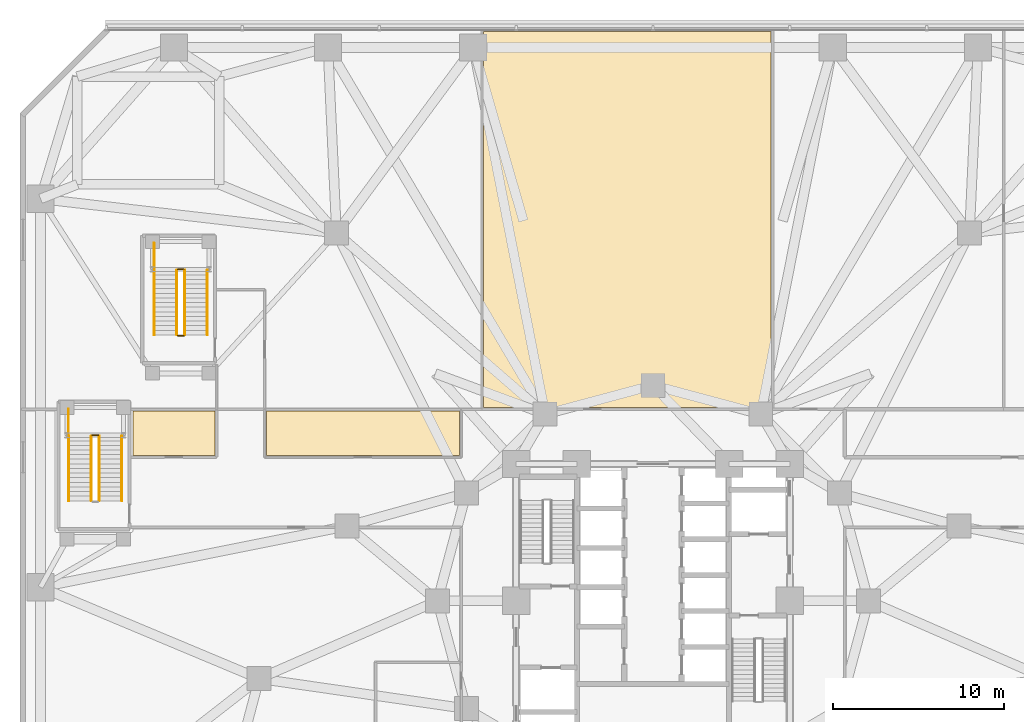
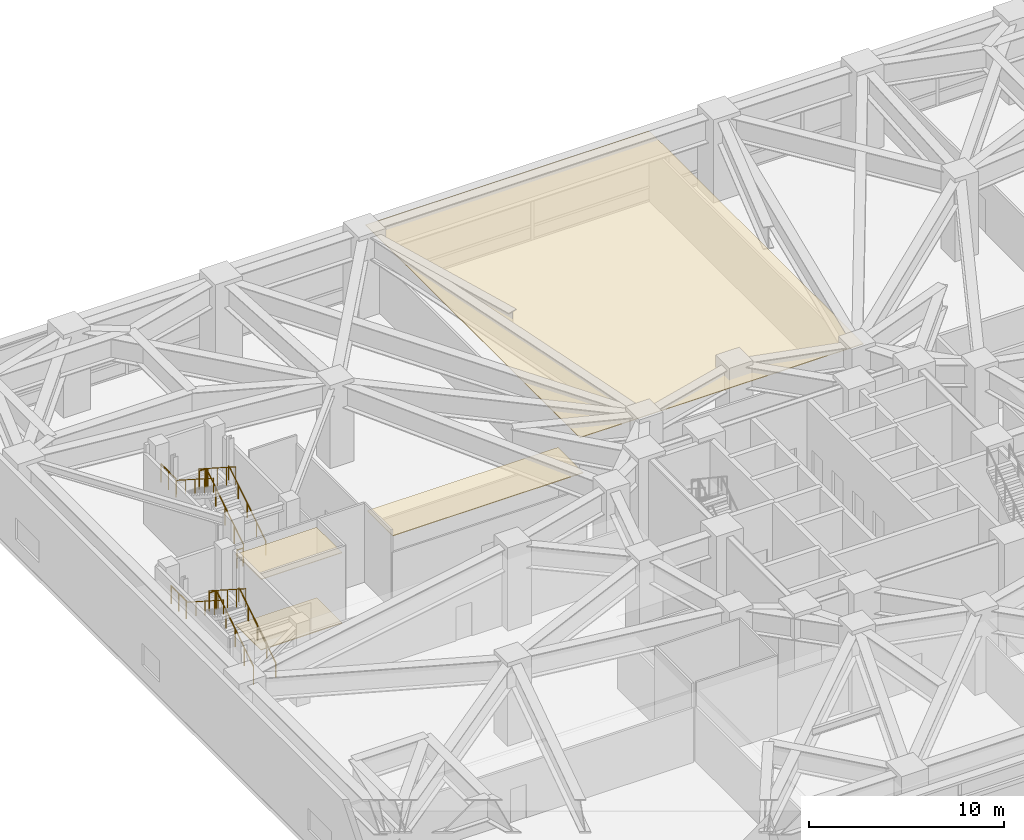
# One storey, part 25 of 27: 13 railings, 4 coverings.
"""IFC4 building model written with IfcOpenShell, lengths in metres."""

from ifc_helpers import new_model, si_unit, direction, frame, origin, origin_2d, place, context, subcontext, project, spatial, polyline, circle, outline, extrude, material, layer, layer_set, type_object, element, save


model = new_model("IFC4")

# Units and contexts
model_context = context("Model", 3, precision=1e-05, world=origin(), true_north=direction((0.0, 1.0)))
body_context = subcontext(model_context, "Body", "Model", "MODEL_VIEW")
ifc_project = project(units=[si_unit("LENGTHUNIT", "METRE"), si_unit("AREAUNIT", "SQUARE_METRE"), si_unit("VOLUMEUNIT", "CUBIC_METRE"), si_unit("PLANEANGLEUNIT", "RADIAN"), si_unit("MASSUNIT", "GRAM", prefix="KILO")], contexts=[model_context])

# Site, building, storey
site_placement = place(None, origin())
site = spatial("IfcSite", under=ifc_project, at=site_placement, CompositionType="ELEMENT")
building_placement = place(site_placement, origin())
building = spatial("IfcBuilding", under=site, at=building_placement, Name="Terralouvre Media Tower", CompositionType="ELEMENT")
storey_placement = place(building_placement, frame((0.0, 0.0, 20.800048828125)))
storey = spatial("IfcBuildingStorey", under=building, at=storey_placement, Name="L04", CompositionType="ELEMENT", Elevation=20.800048828125)

# Coverings
ifc_material_1 = material(Name="Resilient elastomer acoustic broadcast studio flooring")
ifc_layer_1 = layer(ifc_material_1, 0.050048828125, Name="Broadcast Studio Acoustic Floating Floor FL-AC1")
ifc_layer_set_1 = layer_set([ifc_layer_1], Name="Resilient elastomer acoustic broadcast studio flooring")
covering_type_1 = type_object("IfcCoveringType", Name="Broadcast Studio Acoustic Floating Floor FL-AC1", PredefinedType="FLOORING", material=ifc_layer_set_1)
covering_1_placement = place(storey_placement, origin())
element("IfcCovering", 1, at=covering_1_placement, inside=storey, type_object=covering_type_1, Name="L04 L04 Staff Wellness Fitness Gym 13 Acoustic Floating Floor", PredefinedType="FLOORING", context=body_context, shape_type="SweptSolid", body=[
    extrude(outline(polyline([(-25.60009765625, 11.10009765625), (-30.39990234375, 11.10009765625), (-30.39990234375, 8.5), (-25.60009765625, 8.5), (-25.60009765625, 11.10009765625)])), origin(), (0.0, 0.0, 1.0), 0.050048828125),
])
ifc_material_2 = material(Name="Perforated aluminium acoustic ceiling baffle", Category="aluminium")
ifc_layer_2 = layer(ifc_material_2, 0.0400390625, Name="Perforated Acoustic Metal Tile Ceiling CL-AC1")
ifc_layer_set_2 = layer_set([ifc_layer_2], Name="Perforated aluminium acoustic ceiling baffle")
covering_type_2 = type_object("IfcCoveringType", Name="Perforated Acoustic Metal Tile Ceiling CL-AC1", PredefinedType="CEILING", material=ifc_layer_set_2)
covering_2_placement = place(storey_placement, frame((0.0, 0.0, 4.419921875)))
element("IfcCovering", 2, at=covering_2_placement, inside=storey, type_object=covering_type_2, Name="L04 L04 Staff Broadcast Canteen Dining Room 10 Acoustic Ceiling", PredefinedType="CEILING", context=body_context, shape_type="SweptSolid", body=[
    extrude(outline(polyline([(6.89990234375, 11.300048828125), (6.89990234375, 33.280029296875), (-9.89990234375, 33.280029296875), (-9.89990234375, 11.300048828125), (6.89990234375, 11.300048828125)])), origin(), (0.0, 0.0, 1.0), 0.0400390625),
])
covering_3_placement = place(storey_placement, frame((0.0, 0.0, 4.419921875)))
element("IfcCovering", 3, at=covering_3_placement, inside=storey, type_object=covering_type_2, Name="L04 L04 Media Training Academy Classroom 12 Acoustic Ceiling", PredefinedType="CEILING", context=body_context, shape_type="SweptSolid", body=[
    extrude(outline(polyline([(-22.60009765625, 8.5), (-11.300048828125, 8.5), (-11.300048828125, 11.10009765625), (-22.60009765625, 11.10009765625), (-22.60009765625, 8.5)])), origin(), (0.0, 0.0, 1.0), 0.0400390625),
])
covering_4_placement = place(storey_placement, frame((0.0, 0.0, 4.419921875)))
element("IfcCovering", 4, at=covering_4_placement, inside=storey, type_object=covering_type_2, Name="L04 L04 Staff Wellness Fitness Gym 13 Acoustic Ceiling", PredefinedType="CEILING", context=body_context, shape_type="SweptSolid", body=[
    extrude(outline(polyline([(-25.60009765625, 11.10009765625), (-30.39990234375, 11.10009765625), (-30.39990234375, 8.5), (-25.60009765625, 8.5), (-25.60009765625, 11.10009765625)])), origin(), (0.0, 0.0, 1.0), 0.0400390625),
])

# Railings
ifc_material_3 = material(Name="Stainless steel 316 handrail and balustrade", Category="steel")
ifc_layer_3 = layer(ifc_material_3, 0.050048828125, Name="Stair Flight Wall Handrail HR-INT1")
ifc_layer_set_3 = layer_set([ifc_layer_3], Name="Stainless steel 316 handrail and balustrade")
railing_type_1 = type_object("IfcRailingType", Name="Stair Flight Wall Handrail HR-INT1", PredefinedType="HANDRAIL", material=ifc_layer_set_3)
railing_1_placement = place(storey_placement, frame((-31.050048828125, 5.85009765625, 0.17333984375)))
element("IfcRailing", 5, at=railing_1_placement, inside=storey, type_object=railing_type_1, Name="L04 ST-03 stair handrail 1", PredefinedType="HANDRAIL", context=body_context, shape_type="SweptSolid", body=[
    extrude(circle(Radius=0.02392578125, at=origin_2d()), frame((0.0, 0.0, 0.8759765625), z_axis=(0.0, 0.84151738831, 0.540230029868), x_axis=(-1.0, 0.0, 0.0)), (0.0, 0.0, 1.0), 4.49169921875),
    extrude(circle(Radius=0.02099609375, at=origin_2d()), origin(), (0.0, 0.0, 1.0), 0.851806640625),
    extrude(circle(Radius=0.02099609375, at=origin_2d()), frame((0.0, 0.94482421875, 0.606689453125)), (0.0, 0.0, 1.0), 0.851806640625),
    extrude(circle(Radius=0.02099609375, at=origin_2d()), frame((0.0, 1.889892578125, 1.21337890625)), (0.0, 0.0, 1.0), 0.851806640625),
    extrude(circle(Radius=0.02099609375, at=origin_2d()), frame((0.0, 2.8349609375, 1.81982421875)), (0.0, 0.0, 1.0), 0.851806640625),
    extrude(circle(Radius=0.02099609375, at=origin_2d()), frame((0.0, 3.77978515625, 2.426513671875)), (0.0, 0.0, 1.0), 0.851806640625),
])
railing_2_placement = place(storey_placement, frame((-34.14990234375, 9.6298828125, 2.773193359375)))
element("IfcRailing", 6, at=railing_2_placement, inside=storey, type_object=railing_type_1, Name="L04 ST-03 stair handrail 2", PredefinedType="HANDRAIL", context=body_context, shape_type="SweptSolid", body=[
    extrude(circle(Radius=0.02392578125, at=origin_2d()), frame((0.0, 0.0, 0.8759765625), z_axis=(0.0, -0.841492677865, 0.540268519441), x_axis=(1.0, 0.0, 0.0)), (0.0, 0.0, 1.0), 4.49169921875),
    extrude(circle(Radius=0.02099609375, at=origin_2d()), origin(), (0.0, 0.0, 1.0), 0.851806640625),
    extrude(circle(Radius=0.02099609375, at=origin_2d()), frame((0.0, -0.94482421875, 0.606689453125)), (0.0, 0.0, 1.0), 0.851806640625),
    extrude(circle(Radius=0.02099609375, at=origin_2d()), frame((0.0, -1.889892578125, 1.21337890625)), (0.0, 0.0, 1.0), 0.851806640625),
    extrude(circle(Radius=0.02099609375, at=origin_2d()), frame((0.0, -2.8349609375, 1.820068359375)), (0.0, 0.0, 1.0), 0.851806640625),
    extrude(circle(Radius=0.02099609375, at=origin_2d()), frame((0.0, -3.77978515625, 2.4267578125)), (0.0, 0.0, 1.0), 0.851806640625),
])
railing_3_placement = place(storey_placement, frame((-26.050048828125, 15.550048828125, 0.17333984375)))
element("IfcRailing", 7, at=railing_3_placement, inside=storey, type_object=railing_type_1, Name="L04 ST-06 stair handrail 1", PredefinedType="HANDRAIL", context=body_context, shape_type="SweptSolid", body=[
    extrude(circle(Radius=0.02392578125, at=origin_2d()), frame((0.0, 0.0, 0.8759765625), z_axis=(0.0, 0.84153325052, 0.540205320475), x_axis=(-1.0, 0.0, 0.0)), (0.0, 0.0, 1.0), 4.491943359375),
    extrude(circle(Radius=0.02099609375, at=origin_2d()), origin(), (0.0, 0.0, 1.0), 0.851806640625),
    extrude(circle(Radius=0.02099609375, at=origin_2d()), frame((0.0, 0.945068359375, 0.606689453125)), (0.0, 0.0, 1.0), 0.851806640625),
    extrude(circle(Radius=0.02099609375, at=origin_2d()), frame((0.0, 1.89013671875, 1.21337890625)), (0.0, 0.0, 1.0), 0.851806640625),
    extrude(circle(Radius=0.02099609375, at=origin_2d()), frame((0.0, 2.8349609375, 1.81982421875)), (0.0, 0.0, 1.0), 0.851806640625),
    extrude(circle(Radius=0.02099609375, at=origin_2d()), frame((0.0, 3.780029296875, 2.426513671875)), (0.0, 0.0, 1.0), 0.851806640625),
])
railing_4_placement = place(storey_placement, frame((-29.14990234375, 19.330078125, 2.773193359375)))
element("IfcRailing", 8, at=railing_4_placement, inside=storey, type_object=railing_type_1, Name="L04 ST-06 stair handrail 2", PredefinedType="HANDRAIL", context=body_context, shape_type="SweptSolid", body=[
    extrude(circle(Radius=0.02392578125, at=origin_2d()), frame((0.0, 0.0, 0.8759765625), z_axis=(0.0, -0.841508541869, 0.540243809739), x_axis=(1.0, 0.0, 0.0)), (0.0, 0.0, 1.0), 4.491943359375),
    extrude(circle(Radius=0.02099609375, at=origin_2d()), origin(), (0.0, 0.0, 1.0), 0.851806640625),
    extrude(circle(Radius=0.02099609375, at=origin_2d()), frame((0.0, -0.945068359375, 0.606689453125)), (0.0, 0.0, 1.0), 0.851806640625),
    extrude(circle(Radius=0.02099609375, at=origin_2d()), frame((0.0, -1.89013671875, 1.21337890625)), (0.0, 0.0, 1.0), 0.851806640625),
    extrude(circle(Radius=0.02099609375, at=origin_2d()), frame((0.0, -2.8349609375, 1.820068359375)), (0.0, 0.0, 1.0), 0.851806640625),
    extrude(circle(Radius=0.02099609375, at=origin_2d()), frame((0.0, -3.780029296875, 2.4267578125)), (0.0, 0.0, 1.0), 0.851806640625),
])
ifc_material_4 = material(Name="Stainless steel 316 handrail and balustrade", Category="steel")
ifc_layer_4 = layer(ifc_material_4, 0.050048828125, Name="Stairwell Safety Guardrail GR-INT1")
ifc_layer_set_4 = layer_set([ifc_layer_4], Name="Stainless steel 316 handrail and balustrade")
railing_type_2 = type_object("IfcRailingType", Name="Stairwell Safety Guardrail GR-INT1", PredefinedType="GUARDRAIL", material=ifc_layer_set_4)
railing_5_placement = place(storey_placement, frame((-32.3701171875, 5.85009765625, 0.17333984375)))
element("IfcRailing", 9, at=railing_5_placement, inside=storey, type_object=railing_type_2, Name="L04 ST-03 stair guard 1", PredefinedType="GUARDRAIL", context=body_context, shape_type="SweptSolid", body=[
    extrude(circle(Radius=0.02392578125, at=origin_2d()), frame((0.0, 0.0, 1.1259765625), z_axis=(0.0, 0.84151738831, 0.540230029868), x_axis=(-1.0, 0.0, 0.0)), (0.0, 0.0, 1.0), 4.49169921875),
    extrude(circle(Radius=0.02099609375, at=origin_2d()), origin(), (0.0, 0.0, 1.0), 1.101806640625),
    extrude(circle(Radius=0.02099609375, at=origin_2d()), frame((0.0, 0.94482421875, 0.606689453125)), (0.0, 0.0, 1.0), 1.101806640625),
    extrude(circle(Radius=0.02099609375, at=origin_2d()), frame((0.0, 1.889892578125, 1.21337890625)), (0.0, 0.0, 1.0), 1.101806640625),
    extrude(circle(Radius=0.02099609375, at=origin_2d()), frame((0.0, 2.8349609375, 1.81982421875)), (0.0, 0.0, 1.0), 1.101806640625),
    extrude(circle(Radius=0.02099609375, at=origin_2d()), frame((0.0, 3.77978515625, 2.426513671875)), (0.0, 0.0, 1.0), 1.101806640625),
])
railing_6_placement = place(storey_placement, frame((-32.419921875, 9.679931640625, 2.599853515625)))
element("IfcRailing", 10, at=railing_6_placement, inside=storey, type_object=railing_type_2, Name="L04 ST-03 stair guard 2", PredefinedType="GUARDRAIL", context=body_context, shape_type="SweptSolid", body=[
    extrude(circle(Radius=0.02392578125, at=origin_2d()), frame((0.0, 0.0, 1.1259765625), z_axis=(-1.0, 0.0, 0.0), x_axis=(0.0, -1.0, 0.0)), (0.0, 0.0, 1.0), 0.360107421875),
    extrude(circle(Radius=0.02099609375, at=origin_2d()), origin(), (0.0, 0.0, 1.0), 1.101806640625),
    extrude(circle(Radius=0.02099609375, at=origin_2d()), frame((-0.360107421875, 0.0, 0.0)), (0.0, 0.0, 1.0), 1.101806640625),
])
railing_7_placement = place(storey_placement, frame((-32.830078125, 9.6298828125, 2.773193359375)))
element("IfcRailing", 11, at=railing_7_placement, inside=storey, type_object=railing_type_2, Name="L04 ST-03 stair guard 3", PredefinedType="GUARDRAIL", context=body_context, shape_type="SweptSolid", body=[
    extrude(circle(Radius=0.02392578125, at=origin_2d()), frame((0.0, 0.0, 1.1259765625), z_axis=(0.0, -0.841492677865, 0.540268519441), x_axis=(1.0, 0.0, 0.0)), (0.0, 0.0, 1.0), 4.49169921875),
    extrude(circle(Radius=0.02099609375, at=origin_2d()), origin(), (0.0, 0.0, 1.0), 1.101806640625),
    extrude(circle(Radius=0.02099609375, at=origin_2d()), frame((0.0, -0.94482421875, 0.606689453125)), (0.0, 0.0, 1.0), 1.101806640625),
    extrude(circle(Radius=0.02099609375, at=origin_2d()), frame((0.0, -1.889892578125, 1.21337890625)), (0.0, 0.0, 1.0), 1.101806640625),
    extrude(circle(Radius=0.02099609375, at=origin_2d()), frame((0.0, -2.8349609375, 1.820068359375)), (0.0, 0.0, 1.0), 1.101806640625),
    extrude(circle(Radius=0.02099609375, at=origin_2d()), frame((0.0, -3.77978515625, 2.4267578125)), (0.0, 0.0, 1.0), 1.101806640625),
])
railing_8_placement = place(storey_placement, frame((-27.3701171875, 15.550048828125, 0.17333984375)))
element("IfcRailing", 12, at=railing_8_placement, inside=storey, type_object=railing_type_2, Name="L04 ST-06 stair guard 1", PredefinedType="GUARDRAIL", context=body_context, shape_type="SweptSolid", body=[
    extrude(circle(Radius=0.02392578125, at=origin_2d()), frame((0.0, 0.0, 1.1259765625), z_axis=(0.0, 0.84153325052, 0.540205320475), x_axis=(-1.0, 0.0, 0.0)), (0.0, 0.0, 1.0), 4.491943359375),
    extrude(circle(Radius=0.02099609375, at=origin_2d()), origin(), (0.0, 0.0, 1.0), 1.101806640625),
    extrude(circle(Radius=0.02099609375, at=origin_2d()), frame((0.0, 0.945068359375, 0.606689453125)), (0.0, 0.0, 1.0), 1.101806640625),
    extrude(circle(Radius=0.02099609375, at=origin_2d()), frame((0.0, 1.89013671875, 1.21337890625)), (0.0, 0.0, 1.0), 1.101806640625),
    extrude(circle(Radius=0.02099609375, at=origin_2d()), frame((0.0, 2.8349609375, 1.81982421875)), (0.0, 0.0, 1.0), 1.101806640625),
    extrude(circle(Radius=0.02099609375, at=origin_2d()), frame((0.0, 3.780029296875, 2.426513671875)), (0.0, 0.0, 1.0), 1.101806640625),
])
railing_9_placement = place(storey_placement, frame((-27.419921875, 19.3798828125, 2.599853515625)))
element("IfcRailing", 13, at=railing_9_placement, inside=storey, type_object=railing_type_2, Name="L04 ST-06 stair guard 2", PredefinedType="GUARDRAIL", context=body_context, shape_type="SweptSolid", body=[
    extrude(circle(Radius=0.02392578125, at=origin_2d()), frame((0.0, 0.0, 1.1259765625), z_axis=(-1.0, 0.0, 0.0), x_axis=(0.0, -1.0, 0.0)), (0.0, 0.0, 1.0), 0.360107421875),
    extrude(circle(Radius=0.02099609375, at=origin_2d()), origin(), (0.0, 0.0, 1.0), 1.101806640625),
    extrude(circle(Radius=0.02099609375, at=origin_2d()), frame((-0.360107421875, 0.0, 0.0)), (0.0, 0.0, 1.0), 1.101806640625),
])
railing_10_placement = place(storey_placement, frame((-27.830078125, 19.330078125, 2.773193359375)))
element("IfcRailing", 14, at=railing_10_placement, inside=storey, type_object=railing_type_2, Name="L04 ST-06 stair guard 3", PredefinedType="GUARDRAIL", context=body_context, shape_type="SweptSolid", body=[
    extrude(circle(Radius=0.02392578125, at=origin_2d()), frame((0.0, 0.0, 1.1259765625), z_axis=(0.0, -0.841508541869, 0.540243809739), x_axis=(1.0, 0.0, 0.0)), (0.0, 0.0, 1.0), 4.491943359375),
    extrude(circle(Radius=0.02099609375, at=origin_2d()), origin(), (0.0, 0.0, 1.0), 1.101806640625),
    extrude(circle(Radius=0.02099609375, at=origin_2d()), frame((0.0, -0.945068359375, 0.606689453125)), (0.0, 0.0, 1.0), 1.101806640625),
    extrude(circle(Radius=0.02099609375, at=origin_2d()), frame((0.0, -1.89013671875, 1.21337890625)), (0.0, 0.0, 1.0), 1.101806640625),
    extrude(circle(Radius=0.02099609375, at=origin_2d()), frame((0.0, -2.8349609375, 1.820068359375)), (0.0, 0.0, 1.0), 1.101806640625),
    extrude(circle(Radius=0.02099609375, at=origin_2d()), frame((0.0, -3.780029296875, 2.4267578125)), (0.0, 0.0, 1.0), 1.101806640625),
])
railing_11_placement = place(storey_placement, frame((-27.419921875, 15.5, 0.0)))
element("IfcRailing", 15, at=railing_11_placement, inside=storey, type_object=railing_type_2, Name="L04 ST-06 stair guard 4", PredefinedType="GUARDRAIL", context=body_context, shape_type="SweptSolid", body=[
    extrude(circle(Radius=0.02392578125, at=origin_2d()), frame((0.0, 0.0, 1.1259765625), z_axis=(-1.0, 0.0, 0.0), x_axis=(0.0, -1.0, 0.0)), (0.0, 0.0, 1.0), 0.360107421875),
    extrude(circle(Radius=0.02099609375, at=origin_2d()), origin(), (0.0, 0.0, 1.0), 1.101806640625),
    extrude(circle(Radius=0.02099609375, at=origin_2d()), frame((-0.360107421875, 0.0, 0.0)), (0.0, 0.0, 1.0), 1.101806640625),
])
railing_12_placement = place(storey_placement, frame((-34.159912109375, 9.669921875, 2.599853515625)))
element("IfcRailing", 16, at=railing_12_placement, inside=storey, type_object=railing_type_2, Name="L04 ST-03 Half-Landing Outer Guardrail", PredefinedType="GUARDRAIL", context=body_context, shape_type="SweptSolid", body=[
    extrude(circle(Radius=0.02392578125, at=origin_2d()), frame((0.0, 0.0, 1.1259765625), z_axis=(0.0, 1.0, 0.0), x_axis=(-1.0, 0.0, 0.0)), (0.0, 0.0, 1.0), 1.5400390625),
    extrude(circle(Radius=0.02099609375, at=origin_2d()), origin(), (0.0, 0.0, 1.0), 1.101806640625),
    extrude(circle(Radius=0.02099609375, at=origin_2d()), frame((0.0, 0.77001953125, 0.0)), (0.0, 0.0, 1.0), 1.101806640625),
    extrude(circle(Radius=0.02099609375, at=origin_2d()), frame((0.0, 1.5400390625, 0.0)), (0.0, 0.0, 1.0), 1.101806640625),
])
railing_13_placement = place(storey_placement, frame((-29.159912109375, 19.3701171875, 2.599853515625)))
element("IfcRailing", 17, at=railing_13_placement, inside=storey, type_object=railing_type_2, Name="L04 ST-06 Half-Landing Outer Guardrail", PredefinedType="GUARDRAIL", context=body_context, shape_type="SweptSolid", body=[
    extrude(circle(Radius=0.02392578125, at=origin_2d()), frame((0.0, 0.0, 1.1259765625), z_axis=(0.0, 1.0, 0.0), x_axis=(-1.0, 0.0, 0.0)), (0.0, 0.0, 1.0), 1.539794921875),
    extrude(circle(Radius=0.02099609375, at=origin_2d()), origin(), (0.0, 0.0, 1.0), 1.101806640625),
    extrude(circle(Radius=0.02099609375, at=origin_2d()), frame((0.0, 0.77001953125, 0.0)), (0.0, 0.0, 1.0), 1.101806640625),
    extrude(circle(Radius=0.02099609375, at=origin_2d()), frame((0.0, 1.539794921875, 0.0)), (0.0, 0.0, 1.0), 1.101806640625),
])

save(model, "model.ifc")
